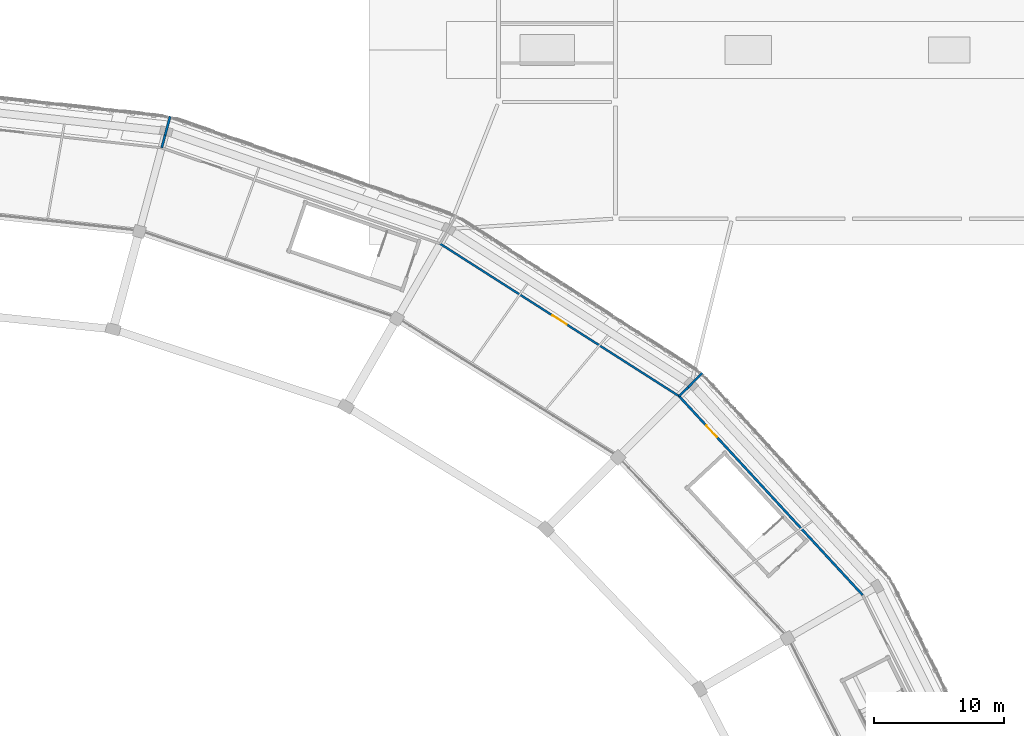
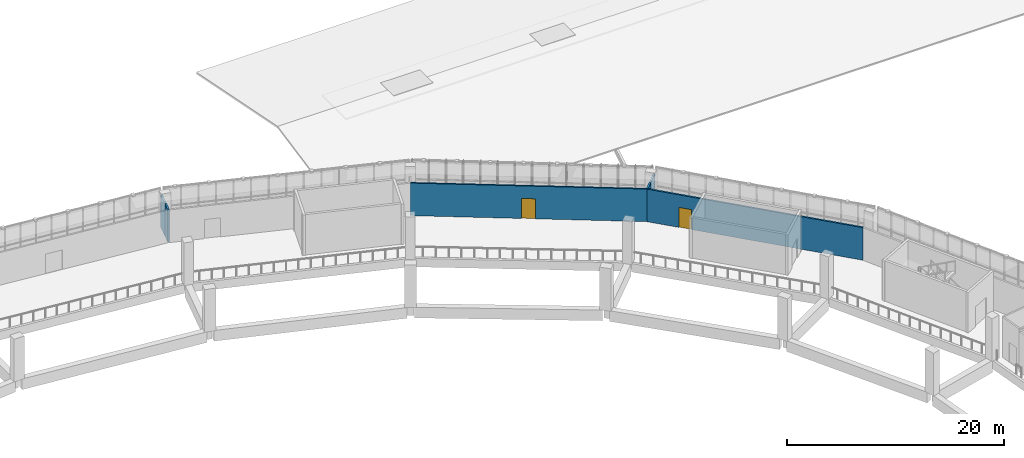
# One storey, part 74 of 108: 6 walls, 2 doors, 2 openings.
"""IFC4 building model written with IfcOpenShell, lengths in metres."""

import ifcopenshell
import ifcopenshell.guid

model = None  # the IFC model being written
_history = None  # IfcOwnerHistory: only IFC2X3 demands one
_inside = {}  # id of a spatial element -> (the spatial element, [elements in it])
_under = {}  # id of a project, library or spatial element -> (it, [spatial elements below it])
_declared = {}  # id of a project -> (the project, [libraries it declares])
_typed = {}  # id of a type object -> (the type object, [elements of that type])
_made_of = {}  # id of a material, layer set ... -> (it, [elements and type objects made of it])


def new_model(schema):
    """Start an empty IFC model of exactly this schema.

    Asked for "IFC4X3", IfcOpenShell would pick the latest addendum, in which some entities
    have other attributes; the version numbers below select the first issue.
    IFC2X3 requires an IfcOwnerHistory on every rooted entity: one is made here for all.
    """
    global model, _history
    if schema == "IFC4X3":
        model = ifcopenshell.file(schema_version=(4, 3, 0, 0))
    else:
        model = ifcopenshell.file(schema=schema)
    _inside.clear()
    _under.clear()
    _declared.clear()
    _typed.clear()
    _made_of.clear()
    _history = None
    if model.schema == "IFC2X3":
        org = make("IfcOrganization", Name="unknown")
        user = make(
            "IfcPersonAndOrganization",
            ThePerson=make("IfcPerson", FamilyName="unknown"),
            TheOrganization=org,
        )
        app = make(
            "IfcApplication",
            ApplicationDeveloper=org,
            Version="unknown",
            ApplicationFullName="unknown",
            ApplicationIdentifier="unknown",
        )
        _history = make(
            "IfcOwnerHistory",
            OwningUser=user,
            OwningApplication=app,
            ChangeAction="ADDED",
            CreationDate=0,
        )
    return model


def make(cls, **values):
    """One entity of the class cls with the attributes given. An attribute that is None is left unset."""
    return model.create_entity(
        cls, **{name: value for name, value in values.items() if value is not None}
    )


def rooted(cls, **values):
    """An entity with a GlobalId (a new one), such as an element, a storey or a relation."""
    return make(cls, GlobalId=ifcopenshell.guid.new(), OwnerHistory=_history, **values)


def si_unit(unit_type, name, prefix=None):
    """IfcSIUnit, for example si_unit("LENGTHUNIT", "METRE", prefix="MILLI")."""
    return make("IfcSIUnit", UnitType=unit_type, Prefix=prefix, Name=name)


def assignment(units):
    """IfcUnitAssignment: the units of a project."""
    return None if units is None else make("IfcUnitAssignment", Units=units)


def point(xyz):
    """IfcCartesianPoint."""
    return None if xyz is None else make("IfcCartesianPoint", Coordinates=xyz)


def direction(xyz):
    """IfcDirection."""
    return None if xyz is None else make("IfcDirection", DirectionRatios=xyz)


def frame(location, z_axis=None, x_axis=None):
    """IfcAxis2Placement3D, a coordinate frame: its origin and axes. An axis left out is left unset."""
    return make(
        "IfcAxis2Placement3D",
        Location=point(location),
        Axis=direction(z_axis),
        RefDirection=direction(x_axis),
    )


def frame_2d(location, x_axis=None):
    """IfcAxis2Placement2D, a coordinate frame in the plane: its origin and x axis."""
    return make(
        "IfcAxis2Placement2D", Location=point(location), RefDirection=direction(x_axis)
    )


def origin():
    """The frame at (0, 0, 0) with its axes left unset."""
    return frame((0.0, 0.0, 0.0))


def place(relative_to, where):
    """IfcLocalPlacement: puts the frame where relative to a parent placement (None: the world)."""
    return make(
        "IfcLocalPlacement", PlacementRelTo=relative_to, RelativePlacement=where
    )


def context(
    kind, dimensions, precision=None, world=None, true_north=None, identifier=None
):
    """IfcGeometricRepresentationContext, for example the 3D "Model" context."""
    return make(
        "IfcGeometricRepresentationContext",
        ContextIdentifier=identifier,
        ContextType=kind,
        CoordinateSpaceDimension=dimensions,
        Precision=precision,
        WorldCoordinateSystem=world,
        TrueNorth=true_north,
    )


def subcontext(parent, identifier, kind, view, scale=None):
    """IfcGeometricRepresentationSubContext, for example "Body" below "Model"."""
    return make(
        "IfcGeometricRepresentationSubContext",
        ContextIdentifier=identifier,
        ContextType=kind,
        ParentContext=parent,
        TargetScale=scale,
        TargetView=view,
    )


def project(units=None, contexts=None):
    """IfcProject with its units and contexts."""
    return rooted(
        "IfcProject",
        Name="project",
        RepresentationContexts=contexts,
        UnitsInContext=assignment(units),
    )


def spatial(cls, under=None, at=None, **own):
    """A site, building, storey or space (cls), placed at a placement, below another one or the project."""
    s = rooted(cls, ObjectPlacement=at, **own)
    if under is not None:
        _under.setdefault(under.id(), (under, []))[1].append(s)
    return s


def profile(cls, at=None, kind="AREA", **sizes):
    """A parametric profile (cls). Its sizes go by their IFC names, for example OverallWidth=200.0."""
    return make(cls, ProfileType=kind, Position=at, **sizes)


def rectangle(**sizes):
    """IfcRectangleProfileDef."""
    return profile("IfcRectangleProfileDef", **sizes)


def extrude(swept, where, along, depth):
    """IfcExtrudedAreaSolid: the profile swept, set in the frame where, extruded along a direction by depth."""
    return make(
        "IfcExtrudedAreaSolid",
        SweptArea=swept,
        Position=where,
        ExtrudedDirection=direction(along),
        Depth=depth,
    )


def shape(context_of_items, identifier, shape_type, items):
    """IfcShapeRepresentation: the items that make up one representation, for example the "Body"."""
    return make(
        "IfcShapeRepresentation",
        ContextOfItems=context_of_items,
        RepresentationIdentifier=identifier,
        RepresentationType=shape_type,
        Items=items,
    )


def material(Name=None, Category=None):
    """IfcMaterial."""
    return make("IfcMaterial", Name=Name, Category=Category)


def layer(
    of_material, thickness, ventilated=None, Name=None, Category=None, Priority=None
):
    """IfcMaterialLayer: one layer of a wall or slab, of a material (None: an air gap)."""
    return make(
        "IfcMaterialLayer",
        Material=of_material,
        LayerThickness=thickness,
        IsVentilated=ventilated,
        Name=Name,
        Category=Category,
        Priority=Priority,
    )


def layer_set(layers, Name=None):
    """IfcMaterialLayerSet."""
    return make("IfcMaterialLayerSet", MaterialLayers=layers, LayerSetName=Name)


def made_of(thing, what):
    """Note that an element or type object is made of a material, layer set ...; save() writes the relation."""
    if what is not None:
        _made_of.setdefault(what.id(), (what, []))[1].append(thing)
    return thing


def type_object(cls, material=None, **own):
    """A type object (cls), such as IfcWallType, which elements share."""
    return made_of(rooted(cls, **own), material)


def element(
    cls,
    number,
    at=None,
    inside=None,
    cuts=None,
    type_object=None,
    material=None,
    context=None,
    identifier="Body",
    shape_type=None,
    held_by="IfcProductDefinitionShape",
    body=None,
    shapes=None,
    **own,
):
    """One element of the class cls, such as IfcWall. Its Tag is "e" and its number.

    at: its placement. inside: the storey or other place that contains it. cuts: it is an
    opening in that element (IfcRelVoidsElement). A single representation is given by context,
    identifier, shape_type and body (its items); several are given by shapes. held_by: the class
    of the entity that holds the representations. save() writes the other relations.
    """
    e = rooted(cls, Tag="e%d" % number, ObjectPlacement=at, **own)
    if body is not None:
        shapes = [shape(context, identifier, shape_type, body)]
    if shapes is not None:
        e.Representation = make(held_by, Representations=shapes)
    if inside is not None:
        _inside.setdefault(inside.id(), (inside, []))[1].append(e)
    if cuts is not None:
        rooted(
            "IfcRelVoidsElement", RelatingBuildingElement=cuts, RelatedOpeningElement=e
        )
    if type_object is not None:
        _typed.setdefault(type_object.id(), (type_object, []))[1].append(e)
    return made_of(e, material)


def fill(opening, filler):
    """IfcRelFillsElement: the door or window that sits in an opening."""
    return rooted(
        "IfcRelFillsElement",
        RelatingOpeningElement=opening,
        RelatedBuildingElement=filler,
    )


def aggregate(whole, parts):
    """IfcRelAggregates: a whole, such as a stair, and the parts it consists of."""
    return rooted("IfcRelAggregates", RelatingObject=whole, RelatedObjects=parts)


def save(model, path):
    """Write the relations noted so far, then the file.

    IfcRelAggregates (storeys below a building ...), IfcRelContainedInSpatialStructure (elements
    in a storey), IfcRelDefinesByType, IfcRelAssociatesMaterial and IfcRelDeclares: one each for
    every whole, place, type object, material and project.
    """
    for whole, parts in _under.values():
        aggregate(whole, parts)
    for where, things in _inside.values():
        rooted(
            "IfcRelContainedInSpatialStructure",
            RelatedElements=things,
            RelatingStructure=where,
        )
    for kind, things in _typed.values():
        rooted("IfcRelDefinesByType", RelatedObjects=things, RelatingType=kind)
    for what, things in _made_of.values():
        rooted("IfcRelAssociatesMaterial", RelatedObjects=things, RelatingMaterial=what)
    for by, libraries in _declared.values():
        rooted("IfcRelDeclares", RelatingContext=by, RelatedDefinitions=libraries)
    model.write(path)


model = new_model("IFC4")

# Units and contexts
model_context = context("Model", 3, precision=1e-05, world=origin(), true_north=direction((0.0, 1.0)))
body_context = subcontext(model_context, "Body", "Model", "MODEL_VIEW")
ifc_project = project(units=[si_unit("LENGTHUNIT", "METRE"), si_unit("AREAUNIT", "SQUARE_METRE"), si_unit("VOLUMEUNIT", "CUBIC_METRE"), si_unit("PLANEANGLEUNIT", "RADIAN"), si_unit("MASSUNIT", "GRAM", prefix="KILO")], contexts=[model_context])

# Site, building, storey
site_placement = place(None, origin())
site = spatial("IfcSite", under=ifc_project, at=site_placement, CompositionType="ELEMENT")
building_placement = place(site_placement, origin())
building = spatial("IfcBuilding", under=site, at=building_placement, Name="Zevraka Park Crest Stadium", CompositionType="ELEMENT")
storey_placement = place(building_placement, frame((0.0, 0.0, 19.800048828125)))
storey = spatial("IfcBuildingStorey", under=building, at=storey_placement, Name="L04", CompositionType="ELEMENT", Elevation=19.800048828125)

# Wall, opening, door
ifc_material_1 = material(Name="Fire-rated twin-stud acoustic drywall", Category="other")
ifc_layer_1 = layer(ifc_material_1, 0.159912109375)
ifc_layer_set_1 = layer_set([ifc_layer_1], Name="Fire-rated twin-stud acoustic drywall")
wall_type_1 = type_object("IfcWallType", Name="IW02", PredefinedType="PARTITIONING", material=ifc_layer_set_1)
wall_1_placement = place(storey_placement, frame((174.91796875, 144.31201171875, 0.0), z_axis=(0.0, 0.0, 1.0), x_axis=(-0.843035459997, 0.537857986077, 0.0)))
wall_1 = element("IfcWall", 1, at=wall_1_placement, inside=storey, type_object=wall_type_1, Name="Interior Partition IW02 Presidential Reception Suite L04", PredefinedType="PARTITIONING", context=body_context, shape_type="SweptSolid", body=[
    extrude(rectangle(XDim=21.859130859375, YDim=0.159912109375, at=frame_2d((10.9296875, 0.0))), origin(), (0.0, 0.0, 1.0), 3.6650390625),
])
opening_1_placement = place(wall_1_placement, frame((10.280029296875, 0.0, 0.0)))
opening_1 = element("IfcOpeningElement", 2, at=opening_1_placement, cuts=wall_1, Name="Opening D-L04-474", PredefinedType="OPENING", context=body_context, shape_type="SweptSolid", body=[
    extrude(rectangle(XDim=1.300048828125, YDim=2.25, at=frame_2d((0.64990234375, 1.125))), frame((0.0, 0.08984375, 0.0), z_axis=(0.0, -1.0, 0.0), x_axis=(1.0, 0.0, 0.0)), (0.0, 0.0, 1.0), 0.179931640625),
])
ifc_material_2 = material(Name="Solid-core hardwood timber leaf in steel frame", Category="steel")
door_type_1 = type_object("IfcDoorType", Name="DR12", OperationType="NOTDEFINED", PredefinedType="DOOR", material=ifc_material_2)
door_1_placement = place(opening_1_placement, origin())
door_1 = element("IfcDoor", 3, at=door_1_placement, inside=storey, type_object=door_type_1, Name="Presidential Reception Suite Door D-L04-474", OperationType="SINGLE_SWING_LEFT", OverallHeight=2.25, OverallWidth=1.300048828125, PredefinedType="DOOR", context=body_context, shape_type="SweptSolid", body=[
    extrude(rectangle(XDim=1.300048828125, YDim=2.25, at=frame_2d((0.64990234375, 1.125))), frame((0.0, 0.02490234375, 0.0), z_axis=(0.0, -1.0, 0.0), x_axis=(1.0, 0.0, 0.0)), (0.0, 0.0, 1.0), 0.050048828125),
])
fill(opening_1, door_1)

ifc_material_3 = material(Name="Fire-rated twin-stud acoustic drywall", Category="other")
ifc_layer_2 = layer(ifc_material_3, 0.179931640625)
ifc_layer_set_2 = layer_set([ifc_layer_2], Name="Fire-rated twin-stud acoustic drywall")
wall_type_2 = type_object("IfcWallType", Name="IW06", PredefinedType="PARTITIONING", material=ifc_layer_set_2)
wall_2_placement = place(storey_placement, frame((189.05908203125, 128.989990234375, 0.0), z_axis=(0.0, 0.0, 1.0), x_axis=(-0.678220768878, 0.734858209903, 0.0)))
wall_2 = element("IfcWall", 4, at=wall_2_placement, inside=storey, type_object=wall_type_2, Name="Interior Partition IW06 Presidential Banquet Lounge L04", PredefinedType="PARTITIONING", context=body_context, shape_type="SweptSolid", body=[
    extrude(rectangle(XDim=20.850341796875, YDim=0.179931640625, at=frame_2d((10.42529296875, 0.0))), origin(), (0.0, 0.0, 1.0), 3.6650390625),
])
opening_2_placement = place(wall_2_placement, frame((16.56298828125, 0.0, 0.0)))
opening_2 = element("IfcOpeningElement", 5, at=opening_2_placement, cuts=wall_2, Name="Opening D-L04-473", PredefinedType="OPENING", context=body_context, shape_type="SweptSolid", body=[
    extrude(rectangle(XDim=1.199951171875, YDim=2.25, at=frame_2d((0.60009765625, 1.125))), frame((0.0, 0.099853515625, 0.0), z_axis=(0.0, -1.0, 0.0), x_axis=(1.0, 0.0, 0.0)), (0.0, 0.0, 1.0), 0.199951171875),
])
ifc_material_4 = material(Name="Solid-core hardwood timber leaf in steel frame", Category="steel")
door_type_2 = type_object("IfcDoorType", Name="DR11", OperationType="NOTDEFINED", PredefinedType="DOOR", material=ifc_material_4)
door_2_placement = place(opening_2_placement, origin())
door_2 = element("IfcDoor", 6, at=door_2_placement, inside=storey, type_object=door_type_2, Name="Presidential Banquet Lounge Door D-L04-473", OperationType="SINGLE_SWING_RIGHT", OverallHeight=2.25, OverallWidth=1.199951171875, PredefinedType="DOOR", context=body_context, shape_type="SweptSolid", body=[
    extrude(rectangle(XDim=1.199951171875, YDim=2.25, at=frame_2d((0.60009765625, 1.125))), frame((0.0, 0.02490234375, 0.0), z_axis=(0.0, -1.0, 0.0), x_axis=(1.0, 0.0, 0.0)), (0.0, 0.0, 1.0), 0.050048828125),
])
fill(opening_2, door_2)

# Walls
wall_3_placement = place(storey_placement, frame((174.91796875, 144.31201171875, 0.0), z_axis=(0.0, 0.0, 1.0), x_axis=(0.70722766447, 0.706985877234, 0.0)))
element("IfcWall", 7, at=wall_3_placement, inside=storey, type_object=wall_type_2, Name="Interior Partition IW06 Presidential Banquet Lounge L04", PredefinedType="PARTITIONING", context=body_context, shape_type="SweptSolid", body=[
    extrude(rectangle(XDim=1.009765625, YDim=0.179931640625, at=frame_2d((0.5048828125, 0.0))), origin(), (0.0, 0.0, 1.0), 3.6650390625),
])
wall_4_placement = place(storey_placement, frame((175.62109375, 145.014892578125, 0.0), z_axis=(0.0, 0.0, 1.0), x_axis=(0.707026778157, 0.707186775165, 0.0)))
element("IfcWall", 8, at=wall_4_placement, inside=storey, type_object=wall_type_2, Name="Interior Partition IW06 Presidential Banquet Lounge L04", PredefinedType="PARTITIONING", context=body_context, shape_type="SweptSolid", body=[
    extrude(rectangle(XDim=1.52587890625, YDim=0.179931640625, at=frame_2d((0.762939453125, 0.0))), origin(), (0.0, 0.0, 1.0), 3.6650390625),
])
wall_5_placement = place(storey_placement, frame((135.030029296875, 163.458984375, 0.0), z_axis=(0.0, 0.0, 1.0), x_axis=(0.258550707932, 0.965997687072, 0.0)))
element("IfcWall", 9, at=wall_5_placement, inside=storey, type_object=wall_type_2, Name="Interior Partition IW06 Presidential Reception Suite L04", PredefinedType="PARTITIONING", context=body_context, shape_type="SweptSolid", body=[
    extrude(rectangle(XDim=1.009521484375, YDim=0.179931640625, at=frame_2d((0.5048828125, 0.0))), origin(), (0.0, 0.0, 1.0), 3.6650390625),
])
wall_6_placement = place(storey_placement, frame((135.2880859375, 164.4189453125, 0.0), z_axis=(0.0, 0.0, 1.0), x_axis=(0.25809085904, 0.966120649029, 0.0)))
element("IfcWall", 10, at=wall_6_placement, inside=storey, type_object=wall_type_2, Name="Interior Partition IW06 Presidential Reception Suite L04", PredefinedType="PARTITIONING", context=body_context, shape_type="SweptSolid", body=[
    extrude(rectangle(XDim=1.52587890625, YDim=0.179931640625, at=frame_2d((0.762939453125, 0.0))), origin(), (0.0, 0.0, 1.0), 3.6650390625),
])

save(model, "model.ifc")
